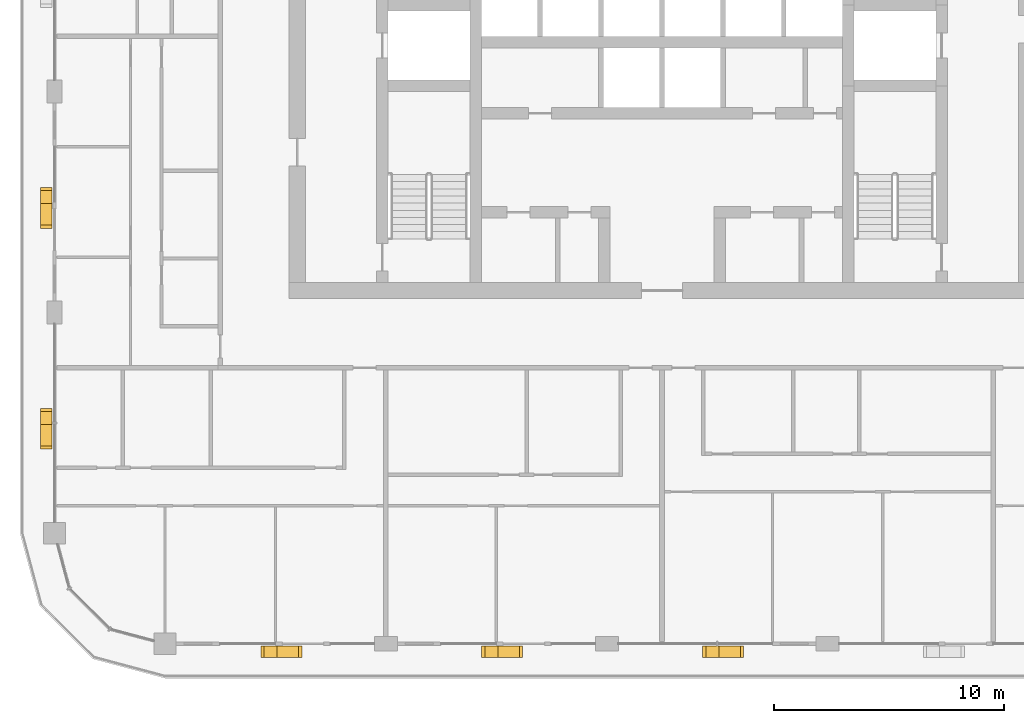
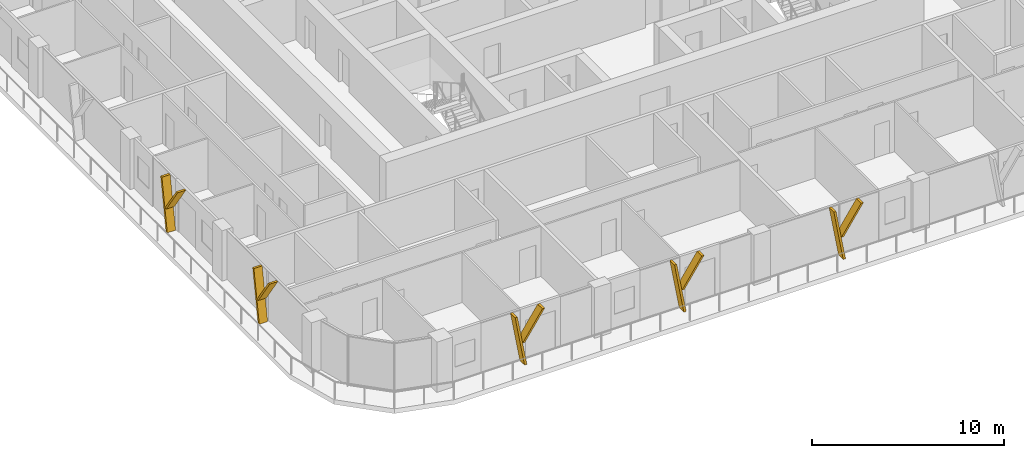
# One storey, part 17 of 22: 10 shading devices.
"""IFC4 building model written with IfcOpenShell, lengths in metres."""

import ifcopenshell
import ifcopenshell.guid

model = None  # the IFC model being written
_history = None  # IfcOwnerHistory: only IFC2X3 demands one
_inside = {}  # id of a spatial element -> (the spatial element, [elements in it])
_under = {}  # id of a project, library or spatial element -> (it, [spatial elements below it])
_declared = {}  # id of a project -> (the project, [libraries it declares])
_typed = {}  # id of a type object -> (the type object, [elements of that type])
_made_of = {}  # id of a material, layer set ... -> (it, [elements and type objects made of it])


def new_model(schema):
    """Start an empty IFC model of exactly this schema.

    Asked for "IFC4X3", IfcOpenShell would pick the latest addendum, in which some entities
    have other attributes; the version numbers below select the first issue.
    IFC2X3 requires an IfcOwnerHistory on every rooted entity: one is made here for all.
    """
    global model, _history
    if schema == "IFC4X3":
        model = ifcopenshell.file(schema_version=(4, 3, 0, 0))
    else:
        model = ifcopenshell.file(schema=schema)
    _inside.clear()
    _under.clear()
    _declared.clear()
    _typed.clear()
    _made_of.clear()
    _history = None
    if model.schema == "IFC2X3":
        org = make("IfcOrganization", Name="unknown")
        user = make(
            "IfcPersonAndOrganization",
            ThePerson=make("IfcPerson", FamilyName="unknown"),
            TheOrganization=org,
        )
        app = make(
            "IfcApplication",
            ApplicationDeveloper=org,
            Version="unknown",
            ApplicationFullName="unknown",
            ApplicationIdentifier="unknown",
        )
        _history = make(
            "IfcOwnerHistory",
            OwningUser=user,
            OwningApplication=app,
            ChangeAction="ADDED",
            CreationDate=0,
        )
    return model


def make(cls, **values):
    """One entity of the class cls with the attributes given. An attribute that is None is left unset."""
    return model.create_entity(
        cls, **{name: value for name, value in values.items() if value is not None}
    )


def rooted(cls, **values):
    """An entity with a GlobalId (a new one), such as an element, a storey or a relation."""
    return make(cls, GlobalId=ifcopenshell.guid.new(), OwnerHistory=_history, **values)


def si_unit(unit_type, name, prefix=None):
    """IfcSIUnit, for example si_unit("LENGTHUNIT", "METRE", prefix="MILLI")."""
    return make("IfcSIUnit", UnitType=unit_type, Prefix=prefix, Name=name)


def assignment(units):
    """IfcUnitAssignment: the units of a project."""
    return None if units is None else make("IfcUnitAssignment", Units=units)


def point(xyz):
    """IfcCartesianPoint."""
    return None if xyz is None else make("IfcCartesianPoint", Coordinates=xyz)


def direction(xyz):
    """IfcDirection."""
    return None if xyz is None else make("IfcDirection", DirectionRatios=xyz)


def frame(location, z_axis=None, x_axis=None):
    """IfcAxis2Placement3D, a coordinate frame: its origin and axes. An axis left out is left unset."""
    return make(
        "IfcAxis2Placement3D",
        Location=point(location),
        Axis=direction(z_axis),
        RefDirection=direction(x_axis),
    )


def origin():
    """The frame at (0, 0, 0) with its axes left unset."""
    return frame((0.0, 0.0, 0.0))


def place(relative_to, where):
    """IfcLocalPlacement: puts the frame where relative to a parent placement (None: the world)."""
    return make(
        "IfcLocalPlacement", PlacementRelTo=relative_to, RelativePlacement=where
    )


def context(
    kind, dimensions, precision=None, world=None, true_north=None, identifier=None
):
    """IfcGeometricRepresentationContext, for example the 3D "Model" context."""
    return make(
        "IfcGeometricRepresentationContext",
        ContextIdentifier=identifier,
        ContextType=kind,
        CoordinateSpaceDimension=dimensions,
        Precision=precision,
        WorldCoordinateSystem=world,
        TrueNorth=true_north,
    )


def subcontext(parent, identifier, kind, view, scale=None):
    """IfcGeometricRepresentationSubContext, for example "Body" below "Model"."""
    return make(
        "IfcGeometricRepresentationSubContext",
        ContextIdentifier=identifier,
        ContextType=kind,
        ParentContext=parent,
        TargetScale=scale,
        TargetView=view,
    )


def project(units=None, contexts=None):
    """IfcProject with its units and contexts."""
    return rooted(
        "IfcProject",
        Name="project",
        RepresentationContexts=contexts,
        UnitsInContext=assignment(units),
    )


def spatial(cls, under=None, at=None, **own):
    """A site, building, storey or space (cls), placed at a placement, below another one or the project."""
    s = rooted(cls, ObjectPlacement=at, **own)
    if under is not None:
        _under.setdefault(under.id(), (under, []))[1].append(s)
    return s


def polyline(points):
    """IfcPolyline through the points."""
    return make("IfcPolyline", Points=[point(p) for p in points])


def outline(outer, holes=None, kind="AREA"):
    """IfcArbitraryClosedProfileDef: a profile drawn as a closed curve; with holes, ...WithVoids."""
    if holes is None:
        return make("IfcArbitraryClosedProfileDef", ProfileType=kind, OuterCurve=outer)
    return make(
        "IfcArbitraryProfileDefWithVoids",
        ProfileType=kind,
        OuterCurve=outer,
        InnerCurves=holes,
    )


def extrude(swept, where, along, depth):
    """IfcExtrudedAreaSolid: the profile swept, set in the frame where, extruded along a direction by depth."""
    return make(
        "IfcExtrudedAreaSolid",
        SweptArea=swept,
        Position=where,
        ExtrudedDirection=direction(along),
        Depth=depth,
    )


def shape(context_of_items, identifier, shape_type, items):
    """IfcShapeRepresentation: the items that make up one representation, for example the "Body"."""
    return make(
        "IfcShapeRepresentation",
        ContextOfItems=context_of_items,
        RepresentationIdentifier=identifier,
        RepresentationType=shape_type,
        Items=items,
    )


def material(Name=None, Category=None):
    """IfcMaterial."""
    return make("IfcMaterial", Name=Name, Category=Category)


def made_of(thing, what):
    """Note that an element or type object is made of a material, layer set ...; save() writes the relation."""
    if what is not None:
        _made_of.setdefault(what.id(), (what, []))[1].append(thing)
    return thing


def type_object(cls, material=None, **own):
    """A type object (cls), such as IfcWallType, which elements share."""
    return made_of(rooted(cls, **own), material)


def element(
    cls,
    number,
    at=None,
    inside=None,
    cuts=None,
    type_object=None,
    material=None,
    context=None,
    identifier="Body",
    shape_type=None,
    held_by="IfcProductDefinitionShape",
    body=None,
    shapes=None,
    **own,
):
    """One element of the class cls, such as IfcWall. Its Tag is "e" and its number.

    at: its placement. inside: the storey or other place that contains it. cuts: it is an
    opening in that element (IfcRelVoidsElement). A single representation is given by context,
    identifier, shape_type and body (its items); several are given by shapes. held_by: the class
    of the entity that holds the representations. save() writes the other relations.
    """
    e = rooted(cls, Tag="e%d" % number, ObjectPlacement=at, **own)
    if body is not None:
        shapes = [shape(context, identifier, shape_type, body)]
    if shapes is not None:
        e.Representation = make(held_by, Representations=shapes)
    if inside is not None:
        _inside.setdefault(inside.id(), (inside, []))[1].append(e)
    if cuts is not None:
        rooted(
            "IfcRelVoidsElement", RelatingBuildingElement=cuts, RelatedOpeningElement=e
        )
    if type_object is not None:
        _typed.setdefault(type_object.id(), (type_object, []))[1].append(e)
    return made_of(e, material)


def aggregate(whole, parts):
    """IfcRelAggregates: a whole, such as a stair, and the parts it consists of."""
    return rooted("IfcRelAggregates", RelatingObject=whole, RelatedObjects=parts)


def save(model, path):
    """Write the relations noted so far, then the file.

    IfcRelAggregates (storeys below a building ...), IfcRelContainedInSpatialStructure (elements
    in a storey), IfcRelDefinesByType, IfcRelAssociatesMaterial and IfcRelDeclares: one each for
    every whole, place, type object, material and project.
    """
    for whole, parts in _under.values():
        aggregate(whole, parts)
    for where, things in _inside.values():
        rooted(
            "IfcRelContainedInSpatialStructure",
            RelatedElements=things,
            RelatingStructure=where,
        )
    for kind, things in _typed.values():
        rooted("IfcRelDefinesByType", RelatedObjects=things, RelatingType=kind)
    for what, things in _made_of.values():
        rooted("IfcRelAssociatesMaterial", RelatedObjects=things, RelatingMaterial=what)
    for by, libraries in _declared.values():
        rooted("IfcRelDeclares", RelatingContext=by, RelatedDefinitions=libraries)
    model.write(path)


model = new_model("IFC4")

# Units and contexts
model_context = context("Model", 3, precision=1e-05, world=origin(), true_north=direction((0.0, 1.0)))
body_context = subcontext(model_context, "Body", "Model", "MODEL_VIEW")
ifc_project = project(units=[si_unit("LENGTHUNIT", "METRE"), si_unit("AREAUNIT", "SQUARE_METRE"), si_unit("VOLUMEUNIT", "CUBIC_METRE"), si_unit("PLANEANGLEUNIT", "RADIAN"), si_unit("MASSUNIT", "GRAM", prefix="KILO")], contexts=[model_context])

# Site, building, storey
site_placement = place(None, origin())
site = spatial("IfcSite", under=ifc_project, at=site_placement, CompositionType="ELEMENT")
building_placement = place(site_placement, origin())
building = spatial("IfcBuilding", under=site, at=building_placement, Name="Madar Terraces", CompositionType="ELEMENT")
storey_placement = place(building_placement, frame((0.0, 0.0, 192.89990234375)))
storey = spatial("IfcBuildingStorey", under=building, at=storey_placement, Name="L50", CompositionType="ELEMENT", Elevation=192.89990234375)

# Shading devices
ifc_material = material(Name="Aluminium, black anodised", Category="aluminium")
shading_device_type = type_object("IfcShadingDeviceType", Name="Facade fin blade 140 x 500", PredefinedType="USERDEFINED", material=ifc_material)
shading_device_1_placement = place(storey_placement, frame((14.330078125, -0.35009765625, 0.0), z_axis=(0.0, 0.0, 1.0), x_axis=(1.0, 0.0, 0.0)))
element("IfcShadingDevice", 1, at=shading_device_1_placement, inside=storey, type_object=shading_device_type, Name="FIN L50 S1", ObjectType="FIN", PredefinedType="USERDEFINED", context=body_context, shape_type="SweptSolid", body=[
    extrude(outline(polyline([(0.0, 0.0), (0.139892578125, 0.0), (-0.42431640625, 3.2001953125), (-0.564208984375, 3.2001953125), (0.0, 0.0)])), frame((0.0, 0.25, 0.0), z_axis=(0.0, -1.0, 0.0), x_axis=(1.0, 0.0, 0.0)), (0.0, 0.0, 1.0), 0.5),
])
shading_device_2_placement = place(storey_placement, frame((14.216064453125, -0.35009765625, 1.440185546875), z_axis=(0.0, 0.0, 1.0), x_axis=(1.0, 0.0, 0.0)))
element("IfcShadingDevice", 2, at=shading_device_2_placement, inside=storey, type_object=shading_device_type, Name="FIN L50 S1 branch", ObjectType="FIN", PredefinedType="USERDEFINED", context=body_context, shape_type="SweptSolid", body=[
    extrude(outline(polyline([(0.0, 0.0), (0.14013671875, 0.0), (1.32958984375, 1.760009765625), (1.189697265625, 1.760009765625), (0.0, 0.0)])), frame((0.0, 0.25, 0.0), z_axis=(0.0, -1.0, 0.0), x_axis=(1.0, 0.0, 0.0)), (0.0, 0.0, 1.0), 0.5),
])
shading_device_3_placement = place(storey_placement, frame((23.929931640625, -0.35009765625, 0.0), z_axis=(0.0, 0.0, 1.0), x_axis=(1.0, 0.0, 0.0)))
element("IfcShadingDevice", 3, at=shading_device_3_placement, inside=storey, type_object=shading_device_type, Name="FIN L50 S2", ObjectType="FIN", PredefinedType="USERDEFINED", context=body_context, shape_type="SweptSolid", body=[
    extrude(outline(polyline([(0.0, 0.0), (0.14013671875, 0.0), (-0.42431640625, 3.2001953125), (-0.564208984375, 3.2001953125), (0.0, 0.0)])), frame((0.0, 0.25, 0.0), z_axis=(0.0, -1.0, 0.0), x_axis=(1.0, 0.0, 0.0)), (0.0, 0.0, 1.0), 0.5),
])
shading_device_4_placement = place(storey_placement, frame((23.816162109375, -0.35009765625, 1.440185546875), z_axis=(0.0, 0.0, 1.0), x_axis=(1.0, 0.0, 0.0)))
element("IfcShadingDevice", 4, at=shading_device_4_placement, inside=storey, type_object=shading_device_type, Name="FIN L50 S2 branch", ObjectType="FIN", PredefinedType="USERDEFINED", context=body_context, shape_type="SweptSolid", body=[
    extrude(outline(polyline([(0.0, 0.0), (0.139892578125, 0.0), (1.32958984375, 1.760009765625), (1.189697265625, 1.760009765625), (0.0, 0.0)])), frame((0.0, 0.25, 0.0), z_axis=(0.0, -1.0, 0.0), x_axis=(1.0, 0.0, 0.0)), (0.0, 0.0, 1.0), 0.5),
])
shading_device_5_placement = place(storey_placement, frame((33.530029296875, -0.35009765625, 0.0), z_axis=(0.0, 0.0, 1.0), x_axis=(1.0, 0.0, 0.0)))
element("IfcShadingDevice", 5, at=shading_device_5_placement, inside=storey, type_object=shading_device_type, Name="FIN L50 S3", ObjectType="FIN", PredefinedType="USERDEFINED", context=body_context, shape_type="SweptSolid", body=[
    extrude(outline(polyline([(0.0, 0.0), (0.139892578125, 0.0), (-0.42431640625, 3.2001953125), (-0.564208984375, 3.2001953125), (0.0, 0.0)])), frame((0.0, 0.25, 0.0), z_axis=(0.0, -1.0, 0.0), x_axis=(1.0, 0.0, 0.0)), (0.0, 0.0, 1.0), 0.5),
])
shading_device_6_placement = place(storey_placement, frame((33.416015625, -0.35009765625, 1.440185546875), z_axis=(0.0, 0.0, 1.0), x_axis=(1.0, 0.0, 0.0)))
element("IfcShadingDevice", 6, at=shading_device_6_placement, inside=storey, type_object=shading_device_type, Name="FIN L50 S3 branch", ObjectType="FIN", PredefinedType="USERDEFINED", context=body_context, shape_type="SweptSolid", body=[
    extrude(outline(polyline([(0.0, 0.0), (0.14013671875, 0.0), (1.32958984375, 1.760009765625), (1.189697265625, 1.760009765625), (0.0, 0.0)])), frame((0.0, 0.25, 0.0), z_axis=(0.0, -1.0, 0.0), x_axis=(1.0, 0.0, 0.0)), (0.0, 0.0, 1.0), 0.5),
])
shading_device_7_placement = place(storey_placement, frame((4.449951171875, 19.27001953125, 0.0), z_axis=(0.0, 0.0, 1.0), x_axis=(0.0, -1.0, 0.0)))
element("IfcShadingDevice", 7, at=shading_device_7_placement, inside=storey, type_object=shading_device_type, Name="FIN L50 W3", ObjectType="FIN", PredefinedType="USERDEFINED", context=body_context, shape_type="SweptSolid", body=[
    extrude(outline(polyline([(0.0, 0.0), (0.14013671875, 0.0), (-0.42431640625, 3.2001953125), (-0.564208984375, 3.2001953125), (0.0, 0.0)])), frame((0.0, 0.25, 0.0), z_axis=(0.0, -1.0, 0.0), x_axis=(1.0, 0.0, 0.0)), (0.0, 0.0, 1.0), 0.5),
])
shading_device_8_placement = place(storey_placement, frame((4.449951171875, 19.3837890625, 1.440185546875), z_axis=(0.0, 0.0, 1.0), x_axis=(0.0, -1.0, 0.0)))
element("IfcShadingDevice", 8, at=shading_device_8_placement, inside=storey, type_object=shading_device_type, Name="FIN L50 W3 branch", ObjectType="FIN", PredefinedType="USERDEFINED", context=body_context, shape_type="SweptSolid", body=[
    extrude(outline(polyline([(0.0, 0.0), (0.139892578125, 0.0), (1.32958984375, 1.760009765625), (1.189697265625, 1.760009765625), (0.0, 0.0)])), frame((0.0, 0.25, 0.0), z_axis=(0.0, -1.0, 0.0), x_axis=(1.0, 0.0, 0.0)), (0.0, 0.0, 1.0), 0.5),
])
shading_device_9_placement = place(storey_placement, frame((4.449951171875, 9.669921875, 0.0), z_axis=(0.0, 0.0, 1.0), x_axis=(0.0, -1.0, 0.0)))
element("IfcShadingDevice", 9, at=shading_device_9_placement, inside=storey, type_object=shading_device_type, Name="FIN L50 W4", ObjectType="FIN", PredefinedType="USERDEFINED", context=body_context, shape_type="SweptSolid", body=[
    extrude(outline(polyline([(0.0, 0.0), (0.139892578125, 0.0), (-0.42431640625, 3.2001953125), (-0.564208984375, 3.2001953125), (0.0, 0.0)])), frame((0.0, 0.25, 0.0), z_axis=(0.0, -1.0, 0.0), x_axis=(1.0, 0.0, 0.0)), (0.0, 0.0, 1.0), 0.5),
])
shading_device_10_placement = place(storey_placement, frame((4.449951171875, 9.783935546875, 1.440185546875), z_axis=(0.0, 0.0, 1.0), x_axis=(0.0, -1.0, 0.0)))
element("IfcShadingDevice", 10, at=shading_device_10_placement, inside=storey, type_object=shading_device_type, Name="FIN L50 W4 branch", ObjectType="FIN", PredefinedType="USERDEFINED", context=body_context, shape_type="SweptSolid", body=[
    extrude(outline(polyline([(0.0, 0.0), (0.14013671875, 0.0), (1.32958984375, 1.760009765625), (1.189697265625, 1.760009765625), (0.0, 0.0)])), frame((0.0, 0.25, 0.0), z_axis=(0.0, -1.0, 0.0), x_axis=(1.0, 0.0, 0.0)), (0.0, 0.0, 1.0), 0.5),
])

save(model, "model.ifc")
